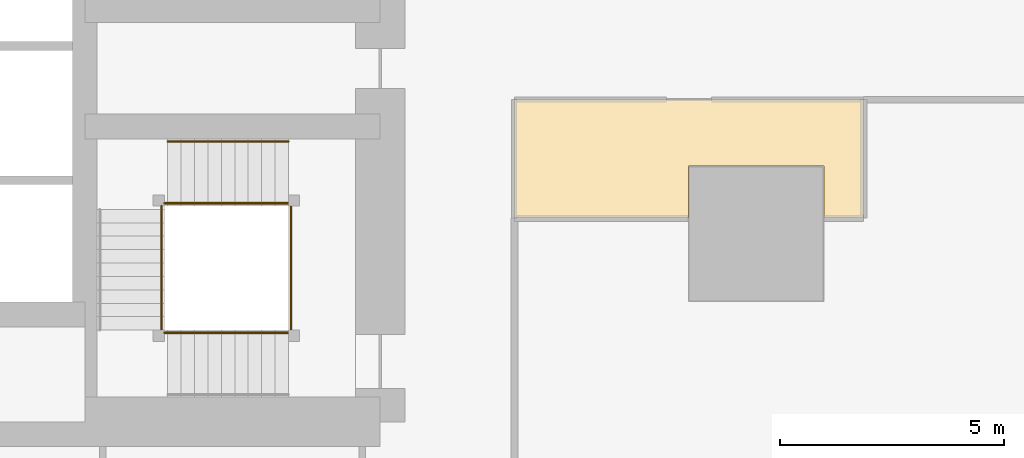
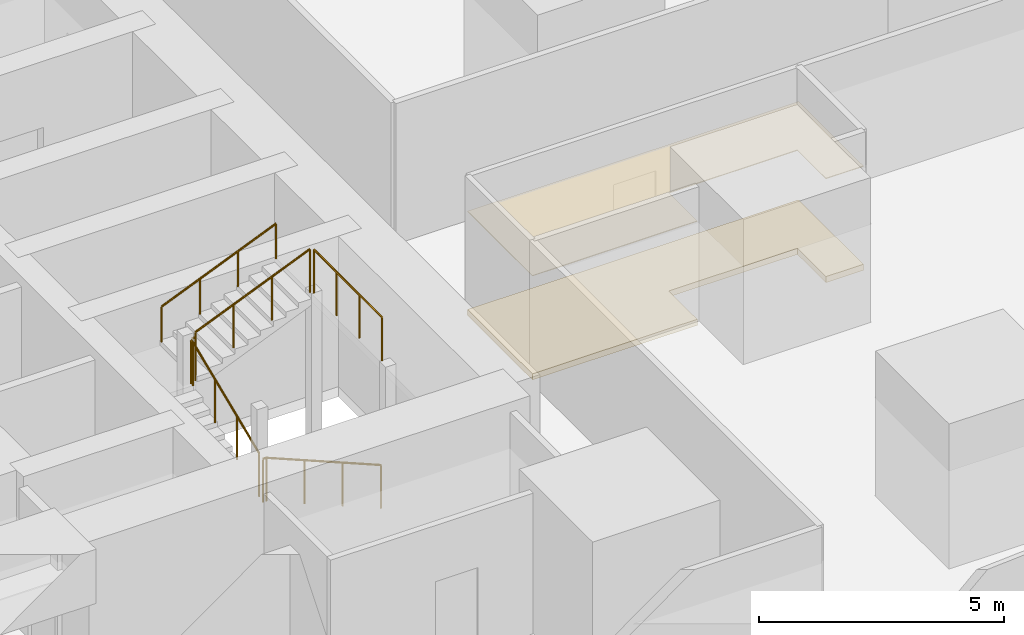
# One storey, part 40 of 45: 8 railings, 2 coverings.
"""IFC4 building model written with IfcOpenShell, lengths in metres."""

from ifc_helpers import new_model, si_unit, direction, frame, origin, origin_2d, place, context, subcontext, project, spatial, polyline, circle, outline, extrude, material, layer, layer_set, type_object, element, save


model = new_model("IFC4")

# Units and contexts
model_context = context("Model", 3, precision=1e-05, world=origin(), true_north=direction((0.0, 1.0)))
body_context = subcontext(model_context, "Body", "Model", "MODEL_VIEW")
ifc_project = project(units=[si_unit("LENGTHUNIT", "METRE"), si_unit("AREAUNIT", "SQUARE_METRE"), si_unit("VOLUMEUNIT", "CUBIC_METRE"), si_unit("PLANEANGLEUNIT", "RADIAN"), si_unit("MASSUNIT", "GRAM", prefix="KILO")], contexts=[model_context])

# Site, building, storey
site_placement = place(None, origin())
site = spatial("IfcSite", under=ifc_project, at=site_placement, CompositionType="ELEMENT")
building_placement = place(site_placement, origin())
building = spatial("IfcBuilding", under=site, at=building_placement, Name="Rekha Terrace Tower", CompositionType="ELEMENT")
storey_placement = place(building_placement, frame((0.0, 0.0, 77.89990234375)))
storey = spatial("IfcBuildingStorey", under=building, at=storey_placement, Name="L19", CompositionType="ELEMENT", Elevation=77.89990234375)

# Covering
ifc_material_1 = material(Name="Mineral fibre tile in exposed grid", Category="finish")
ifc_layer_1 = layer(ifc_material_1, 0.02001953125)
ifc_layer_set_1 = layer_set([ifc_layer_1], Name="Mineral fibre tile in exposed grid")
covering_type_1 = type_object("IfcCoveringType", Name="CL1 600x1200 office grid ceiling", PredefinedType="CEILING", material=ifc_layer_set_1)
covering_1_placement = place(storey_placement, frame((0.0, 0.0, 2.580078125)))
element("IfcCovering", 1, at=covering_1_placement, inside=storey, type_object=covering_type_1, Name="Ceiling L19-13", PredefinedType="CEILING", context=body_context, shape_type="SweptSolid", body=[
    extrude(outline(polyline([(60.31494140625, 26.715087890625), (60.31494140625, 25.552001953125), (61.199951171875, 25.552001953125), (61.199951171875, 28.199951171875), (53.39990234375, 28.199951171875), (53.39990234375, 25.552001953125), (57.284912109375, 25.552001953125), (57.284912109375, 26.715087890625), (60.31494140625, 26.715087890625)])), origin(), (0.0, 0.0, 1.0), 0.02001953125),
])

# Railings
ifc_material_2 = material(Name="Stainless steel balustrade", Category="steel")
railing_type_1 = type_object("IfcRailingType", Name="GR1 1100 stair guard", PredefinedType="GUARDRAIL", material=ifc_material_2)
railing_1_placement = place(storey_placement, frame((48.35009765625, 22.989990234375, 0.125)))
element("IfcRailing", 2, at=railing_1_placement, inside=storey, type_object=railing_type_1, Name="Guard ST3 L19 flight 1", PredefinedType="GUARDRAIL", context=body_context, shape_type="SweptSolid", body=[
    extrude(circle(Radius=0.02392578125, at=origin_2d()), frame((0.0, 0.0, 1.076171875), z_axis=(-0.923086799901, 0.0, 0.38459167938), x_axis=(0.0, -1.0, 0.0)), (0.0, 0.0, 1.0), 2.92529296875),
    extrude(circle(Radius=0.02099609375, at=origin_2d()), origin(), (0.0, 0.0, 1.0), 1.052001953125),
    extrude(circle(Radius=0.02099609375, at=origin_2d()), frame((-0.900146484375, 0.0, 0.375)), (0.0, 0.0, 1.0), 1.052001953125),
    extrude(circle(Radius=0.02099609375, at=origin_2d()), frame((-1.800048828125, 0.0, 0.75)), (0.0, 0.0, 1.0), 1.052001953125),
    extrude(circle(Radius=0.02099609375, at=origin_2d()), frame((-2.7001953125, 0.0, 1.125)), (0.0, 0.0, 1.0), 1.052001953125),
])
railing_2_placement = place(storey_placement, frame((45.514892578125, 23.050048828125, 1.375)))
element("IfcRailing", 3, at=railing_2_placement, inside=storey, type_object=railing_type_1, Name="Guard ST3 L19 flight 2", PredefinedType="GUARDRAIL", context=body_context, shape_type="SweptSolid", body=[
    extrude(circle(Radius=0.02392578125, at=origin_2d()), frame((0.0, 0.0, 1.076171875), z_axis=(0.0, 0.923074453586, 0.384621311341), x_axis=(-1.0, 0.0, 0.0)), (0.0, 0.0, 1.0), 2.925048828125),
    extrude(circle(Radius=0.02099609375, at=origin_2d()), origin(), (0.0, 0.0, 1.0), 1.052001953125),
    extrude(circle(Radius=0.02099609375, at=origin_2d()), frame((0.0, 0.89990234375, 0.375)), (0.0, 0.0, 1.0), 1.052001953125),
    extrude(circle(Radius=0.02099609375, at=origin_2d()), frame((0.0, 1.800048828125, 0.75)), (0.0, 0.0, 1.0), 1.052001953125),
    extrude(circle(Radius=0.02099609375, at=origin_2d()), frame((0.0, 2.699951171875, 1.125)), (0.0, 0.0, 1.0), 1.052001953125),
])
railing_3_placement = place(storey_placement, frame((45.64990234375, 25.885009765625, 2.625)))
element("IfcRailing", 4, at=railing_3_placement, inside=storey, type_object=railing_type_1, Name="Guard ST3 L19 flight 3", PredefinedType="GUARDRAIL", context=body_context, shape_type="SweptSolid", body=[
    extrude(circle(Radius=0.02392578125, at=origin_2d()), frame((0.0, 0.0, 1.076171875), z_axis=(0.923086799901, 0.0, 0.38459167938), x_axis=(0.0, 1.0, 0.0)), (0.0, 0.0, 1.0), 2.92529296875),
    extrude(circle(Radius=0.02099609375, at=origin_2d()), origin(), (0.0, 0.0, 1.0), 1.052001953125),
    extrude(circle(Radius=0.02099609375, at=origin_2d()), frame((0.900146484375, 0.0, 0.375)), (0.0, 0.0, 1.0), 1.052001953125),
    extrude(circle(Radius=0.02099609375, at=origin_2d()), frame((1.800048828125, 0.0, 0.75)), (0.0, 0.0, 1.0), 1.052001953125),
    extrude(circle(Radius=0.02099609375, at=origin_2d()), frame((2.7001953125, 0.0, 1.125)), (0.0, 0.0, 1.0), 1.052001953125),
])
railing_4_placement = place(storey_placement, frame((45.64990234375, 22.989990234375, 1.25)))
element("IfcRailing", 5, at=railing_4_placement, inside=storey, type_object=railing_type_1, Name="Guard ST3 L19 landing 1", PredefinedType="GUARDRAIL", context=body_context, shape_type="SweptSolid", body=[
    extrude(circle(Radius=0.02392578125, at=origin_2d()), frame((0.0, 0.0, 1.076171875), z_axis=(-1.0, 0.0, 0.0), x_axis=(0.0, -1.0, 0.0)), (0.0, 0.0, 1.0), 0.074951171875),
    extrude(circle(Radius=0.02099609375, at=origin_2d()), origin(), (0.0, 0.0, 1.0), 1.052001953125),
    extrude(circle(Radius=0.02099609375, at=origin_2d()), frame((-0.074951171875, 0.0, 0.0)), (0.0, 0.0, 1.0), 1.052001953125),
])
railing_5_placement = place(storey_placement, frame((45.514892578125, 25.75, 2.5)))
element("IfcRailing", 6, at=railing_5_placement, inside=storey, type_object=railing_type_1, Name="Guard ST3 L19 landing 2", PredefinedType="GUARDRAIL", context=body_context, shape_type="SweptSolid", body=[
    extrude(circle(Radius=0.02392578125, at=origin_2d()), frame((0.0, 0.0, 1.076171875), z_axis=(0.0, 1.0, 0.0), x_axis=(-1.0, 0.0, 0.0)), (0.0, 0.0, 1.0), 0.074951171875),
    extrude(circle(Radius=0.02099609375, at=origin_2d()), origin(), (0.0, 0.0, 1.0), 1.052001953125),
    extrude(circle(Radius=0.02099609375, at=origin_2d()), frame((0.0, 0.074951171875, 0.0)), (0.0, 0.0, 1.0), 1.052001953125),
])
railing_6_placement = place(storey_placement, frame((45.64990234375, 25.885009765625, 2.5)))
element("IfcRailing", 7, at=railing_6_placement, inside=storey, type_object=railing_type_1, Name="Guard ST3 L19 landing 3", PredefinedType="GUARDRAIL", context=body_context, shape_type="SweptSolid", body=[
    extrude(circle(Radius=0.02392578125, at=origin_2d()), frame((0.0, 0.0, 1.076171875), z_axis=(-1.0, 0.0, 0.0), x_axis=(0.0, -1.0, 0.0)), (0.0, 0.0, 1.0), 0.074951171875),
    extrude(circle(Radius=0.02099609375, at=origin_2d()), origin(), (0.0, 0.0, 1.0), 1.052001953125),
    extrude(circle(Radius=0.02099609375, at=origin_2d()), frame((-0.074951171875, 0.0, 0.0)), (0.0, 0.0, 1.0), 1.052001953125),
])
railing_7_placement = place(storey_placement, frame((48.409912109375, 23.050048828125, 3.75)))
element("IfcRailing", 8, at=railing_7_placement, inside=storey, type_object=railing_type_1, Name="Guard ST3 L19 landing 4", PredefinedType="GUARDRAIL", context=body_context, shape_type="SweptSolid", body=[
    extrude(circle(Radius=0.02392578125, at=origin_2d()), frame((0.0, 0.0, 1.076171875), z_axis=(0.0, 1.0, 0.0), x_axis=(-1.0, 0.0, 0.0)), (0.0, 0.0, 1.0), 2.77490234375),
    extrude(circle(Radius=0.02099609375, at=origin_2d()), origin(), (0.0, 0.0, 1.0), 1.052001953125),
    extrude(circle(Radius=0.02099609375, at=origin_2d()), frame((0.0, 0.925048828125, 0.0)), (0.0, 0.0, 1.0), 1.052001953125),
    extrude(circle(Radius=0.02099609375, at=origin_2d()), frame((0.0, 1.849853515625, 0.0)), (0.0, 0.0, 1.0), 1.052001953125),
    extrude(circle(Radius=0.02099609375, at=origin_2d()), frame((0.0, 2.77490234375, 0.0)), (0.0, 0.0, 1.0), 1.052001953125),
])
ifc_material_3 = material(Name="Stainless steel tube", Category="steel")
railing_type_2 = type_object("IfcRailingType", Name="HR1 900 stair handrail", PredefinedType="HANDRAIL", material=ifc_material_3)
railing_8_placement = place(storey_placement, frame((45.64990234375, 27.264892578125, 2.625)))
element("IfcRailing", 9, at=railing_8_placement, inside=storey, type_object=railing_type_2, Name="Handrail ST3 L19 flight 3", PredefinedType="HANDRAIL", context=body_context, shape_type="SweptSolid", body=[
    extrude(circle(Radius=0.02392578125, at=origin_2d()), frame((0.0, 0.0, 0.8759765625), z_axis=(0.923086799901, 0.0, 0.38459167938), x_axis=(0.0, 1.0, 0.0)), (0.0, 0.0, 1.0), 2.92529296875),
    extrude(circle(Radius=0.02099609375, at=origin_2d()), origin(), (0.0, 0.0, 1.0), 0.851806640625),
    extrude(circle(Radius=0.02099609375, at=origin_2d()), frame((0.900146484375, 0.0, 0.375)), (0.0, 0.0, 1.0), 0.851806640625),
    extrude(circle(Radius=0.02099609375, at=origin_2d()), frame((1.800048828125, 0.0, 0.75)), (0.0, 0.0, 1.0), 0.851806640625),
    extrude(circle(Radius=0.02099609375, at=origin_2d()), frame((2.7001953125, 0.0, 1.125)), (0.0, 0.0, 1.0), 0.851806640625),
])

# Covering
ifc_material_4 = material(Name="Calcium sulphate panels on steel pedestals", Category="steel")
ifc_layer_2 = layer(ifc_material_4, 0.14990234375)
ifc_layer_set_2 = layer_set([ifc_layer_2], Name="Calcium sulphate panels on steel pedestals")
covering_type_2 = type_object("IfcCoveringType", Name="RF1 150 raised access floor", PredefinedType="FLOORING", material=ifc_layer_set_2)
covering_2_placement = place(storey_placement, origin())
element("IfcCovering", 10, at=covering_2_placement, inside=storey, type_object=covering_type_2, Name="Raised floor L19-13", PredefinedType="FLOORING", context=body_context, shape_type="SweptSolid", body=[
    extrude(outline(polyline([(60.31494140625, 26.715087890625), (60.31494140625, 25.552001953125), (61.199951171875, 25.552001953125), (61.199951171875, 28.199951171875), (53.39990234375, 28.199951171875), (53.39990234375, 25.552001953125), (57.284912109375, 25.552001953125), (57.284912109375, 26.715087890625), (60.31494140625, 26.715087890625)])), origin(), (0.0, 0.0, 1.0), 0.150146484375),
])

save(model, "model.ifc")
